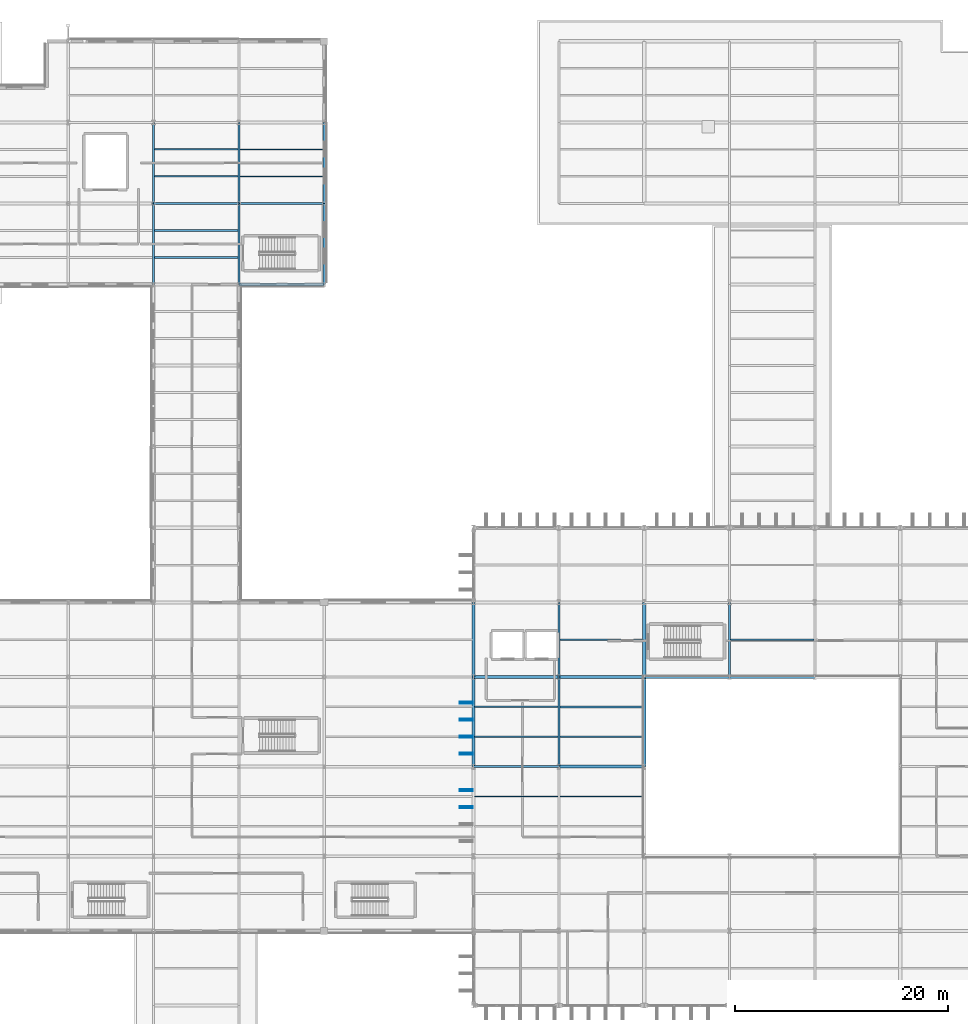
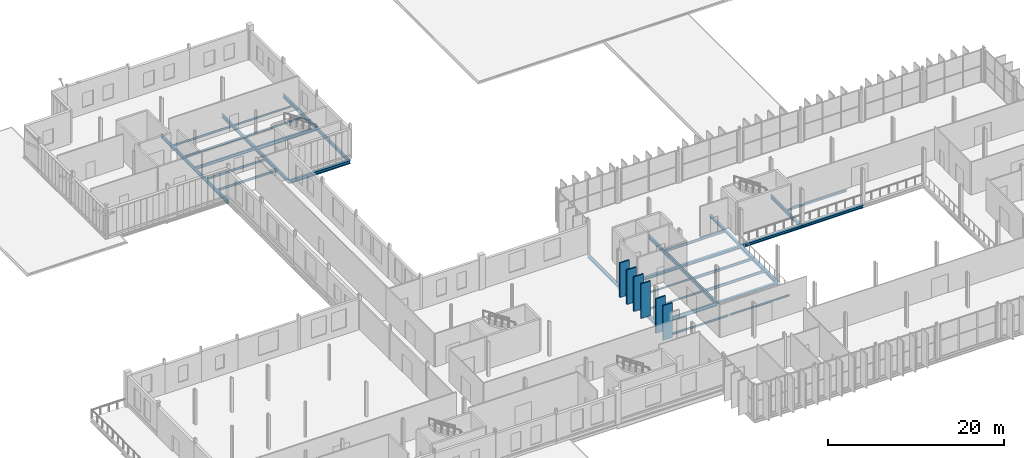
# One storey, part 37 of 120: 36 beams, 6 members.
"""IFC4 building model written with IfcOpenShell, lengths in metres."""

from ifc_helpers import new_model, si_unit, direction, frame, origin, origin_2d, place, context, subcontext, project, spatial, hollow_rectangle, i_section, extrude, material, material_profile, profile_set, type_object, element, save


model = new_model("IFC4")

# Units and contexts
model_context = context("Model", 3, precision=1e-05, world=origin(), true_north=direction((0.0, 1.0)))
body_context = subcontext(model_context, "Body", "Model", "MODEL_VIEW")
ifc_project = project(units=[si_unit("LENGTHUNIT", "METRE"), si_unit("AREAUNIT", "SQUARE_METRE"), si_unit("VOLUMEUNIT", "CUBIC_METRE"), si_unit("PLANEANGLEUNIT", "RADIAN"), si_unit("MASSUNIT", "GRAM", prefix="KILO")], contexts=[model_context])

# Site, building, storey
site_placement = place(None, origin())
site = spatial("IfcSite", under=ifc_project, at=site_placement, CompositionType="ELEMENT")
building_placement = place(site_placement, origin())
building = spatial("IfcBuilding", under=site, at=building_placement, Name="Vekula Escarpment Museum", CompositionType="ELEMENT")
storey_placement = place(building_placement, frame((0.0, 0.0, 13.199951171875)))
storey = spatial("IfcBuildingStorey", under=building, at=storey_placement, Name="L03", CompositionType="ELEMENT", Elevation=13.199951171875)

# Beams
ifc_material_1 = material(Name="Steel S355", Category="steel")
ifc_material_profile_1 = material_profile(ifc_material_1, i_section(OverallWidth=0.280029296875, OverallDepth=0.280029296875, WebThickness=0.010498046875, FlangeThickness=0.01806640625, FilletRadius=0.02392578125, at=origin_2d()), Name="HEB 280")
ifc_profile_set_1 = profile_set([ifc_material_profile_1], Name="Steel S355")
beam_type_1 = type_object("IfcBeamType", Name="BM-GIRD-HEB280", PredefinedType="BEAM", material=ifc_profile_set_1)
beam_1_placement = place(storey_placement, frame((78.0, 68.0, -0.389892578125), z_axis=(1.0, 0.0, 0.0), x_axis=(0.0, 1.0, 0.0)))
element("IfcBeam", 1, at=beam_1_placement, inside=storey, type_object=beam_type_1, Name="Beam X L03 1366", PredefinedType="BEAM", context=body_context, shape_type="SweptSolid", body=[
    extrude(i_section(OverallWidth=0.280029296875, OverallDepth=0.280029296875, WebThickness=0.010498046875, FlangeThickness=0.01806640625, FilletRadius=0.02392578125, at=origin_2d()), origin(), (0.0, 0.0, 1.0), 8.0),
])
ifc_material_2 = material(Name="Steel S355", Category="steel")
ifc_material_profile_2 = material_profile(ifc_material_2, i_section(OverallWidth=0.300048828125, OverallDepth=0.449951171875, WebThickness=0.013916015625, FlangeThickness=0.02587890625, FilletRadius=0.027099609375, at=origin_2d()), Name="HEB 450")
ifc_profile_set_2 = profile_set([ifc_material_profile_2], Name="Steel S355")
beam_type_2 = type_object("IfcBeamType", Name="BM-GIRD-HEB450", PredefinedType="BEAM", material=ifc_profile_set_2)
beam_2_placement = place(storey_placement, frame((48.0, 113.199951171875, -0.474853515625), z_axis=(1.0, 0.0, 0.0), x_axis=(0.0, 1.0, 0.0)))
element("IfcBeam", 2, at=beam_2_placement, inside=storey, type_object=beam_type_2, Name="Beam X L03 1438", PredefinedType="BEAM", context=body_context, shape_type="SweptSolid", body=[
    extrude(i_section(OverallWidth=0.300048828125, OverallDepth=0.449951171875, WebThickness=0.013916015625, FlangeThickness=0.02587890625, FilletRadius=0.027099609375, at=origin_2d()), origin(), (0.0, 0.0, 1.0), 8.0),
])
ifc_material_3 = material(Name="Steel S355", Category="steel")
ifc_material_profile_3 = material_profile(ifc_material_3, i_section(OverallWidth=0.179931640625, OverallDepth=0.39990234375, WebThickness=0.008544921875, FlangeThickness=0.013427734375, FilletRadius=0.02099609375, at=origin_2d()), Name="IPE 400")
ifc_profile_set_3 = profile_set([ifc_material_profile_3], Name="Steel S355")
beam_type_3 = type_object("IfcBeamType", Name="BM-GIRD-IPE400", PredefinedType="BEAM", material=ifc_profile_set_3)
beam_3_placement = place(storey_placement, frame((40.0, 120.800048828125, -0.449951171875), z_axis=(1.0, 0.0, 0.0), x_axis=(0.0, 1.0, 0.0)))
element("IfcBeam", 3, at=beam_3_placement, inside=storey, type_object=beam_type_3, Name="Beam X L03 1446", PredefinedType="BEAM", context=body_context, shape_type="SweptSolid", body=[
    extrude(i_section(OverallWidth=0.179931640625, OverallDepth=0.39990234375, WebThickness=0.008544921875, FlangeThickness=0.013427734375, FilletRadius=0.02099609375, at=origin_2d()), origin(), (0.0, 0.0, 1.0), 8.0),
])
ifc_material_4 = material(Name="Steel S355", Category="steel")
ifc_material_profile_4 = material_profile(ifc_material_4, i_section(OverallWidth=0.199951171875, OverallDepth=0.5, WebThickness=0.01025390625, FlangeThickness=0.01611328125, FilletRadius=0.02099609375, at=origin_2d()), Name="IPE 500")
ifc_profile_set_4 = profile_set([ifc_material_profile_4], Name="Steel S355")
beam_type_4 = type_object("IfcBeamType", Name="BM-GIRD-IPE500", PredefinedType="BEAM", material=ifc_profile_set_4)
for number, where, z_axis, x_axis, name in (
    (4, (70.0, 68.0, -0.5), (1.0, 0.0, 0.0), (0.0, 1.0, 0.0), "Beam X L03 1365"),
    (5, (48.0, 120.800048828125, -0.5), (1.0, 0.0, 0.0), (0.0, 1.0, 0.0), "Beam X L03 1447"),
):
    element("IfcBeam", number, at=place(storey_placement, frame(where, z_axis=z_axis, x_axis=x_axis)), inside=storey, type_object=beam_type_4, Name=name, PredefinedType="BEAM", context=body_context, shape_type="SweptSolid", body=[
        extrude(i_section(OverallWidth=0.199951171875, OverallDepth=0.5, WebThickness=0.01025390625, FlangeThickness=0.01611328125, FilletRadius=0.02099609375, at=origin_2d()), origin(), (0.0, 0.0, 1.0), 8.0),
    ])
beam_4_placement = place(storey_placement, frame((40.0, 113.199951171875, -0.5), z_axis=(0.0, 1.0, 0.0), x_axis=(-1.0, 0.0, 0.0)))
element("IfcBeam", 6, at=beam_4_placement, inside=storey, type_object=beam_type_4, Name="Beam Y L03 1526", PredefinedType="BEAM", context=body_context, shape_type="SweptSolid", body=[
    extrude(i_section(OverallWidth=0.199951171875, OverallDepth=0.5, WebThickness=0.01025390625, FlangeThickness=0.01611328125, FilletRadius=0.02099609375, at=origin_2d()), origin(), (0.0, 0.0, 1.0), 7.60009765625),
])
beam_5_placement = place(storey_placement, frame((40.0, 120.800048828125, -0.5), z_axis=(0.0, 1.0, 0.0), x_axis=(-1.0, 0.0, 0.0)))
element("IfcBeam", 7, at=beam_5_placement, inside=storey, type_object=beam_type_4, Name="Beam Y L03 1527", PredefinedType="BEAM", context=body_context, shape_type="SweptSolid", body=[
    extrude(i_section(OverallWidth=0.199951171875, OverallDepth=0.5, WebThickness=0.01025390625, FlangeThickness=0.01611328125, FilletRadius=0.02099609375, at=origin_2d()), origin(), (0.0, 0.0, 1.0), 7.599853515625),
])
beam_6_placement = place(storey_placement, frame((48.0, 113.199951171875, -0.5), z_axis=(0.0, 1.0, 0.0), x_axis=(-1.0, 0.0, 0.0)))
element("IfcBeam", 8, at=beam_6_placement, inside=storey, type_object=beam_type_4, Name="Beam Y L03 1544", PredefinedType="BEAM", context=body_context, shape_type="SweptSolid", body=[
    extrude(i_section(OverallWidth=0.199951171875, OverallDepth=0.5, WebThickness=0.01025390625, FlangeThickness=0.01611328125, FilletRadius=0.02099609375, at=origin_2d()), origin(), (0.0, 0.0, 1.0), 7.60009765625),
])
beam_7_placement = place(storey_placement, frame((48.0, 120.800048828125, -0.5), z_axis=(0.0, 1.0, 0.0), x_axis=(-1.0, 0.0, 0.0)))
element("IfcBeam", 9, at=beam_7_placement, inside=storey, type_object=beam_type_4, Name="Beam Y L03 1545", PredefinedType="BEAM", context=body_context, shape_type="SweptSolid", body=[
    extrude(i_section(OverallWidth=0.199951171875, OverallDepth=0.5, WebThickness=0.01025390625, FlangeThickness=0.01611328125, FilletRadius=0.02099609375, at=origin_2d()), origin(), (0.0, 0.0, 1.0), 7.599853515625),
])
beam_8_placement = place(storey_placement, frame((56.0, 113.199951171875, -0.5), z_axis=(0.0, 1.0, 0.0), x_axis=(-1.0, 0.0, 0.0)))
element("IfcBeam", 10, at=beam_8_placement, inside=storey, type_object=beam_type_4, Name="Beam Y L03 1554", PredefinedType="BEAM", context=body_context, shape_type="SweptSolid", body=[
    extrude(i_section(OverallWidth=0.199951171875, OverallDepth=0.5, WebThickness=0.01025390625, FlangeThickness=0.01611328125, FilletRadius=0.02099609375, at=origin_2d()), origin(), (0.0, 0.0, 1.0), 7.60009765625),
])
beam_9_placement = place(storey_placement, frame((56.0, 120.800048828125, -0.5), z_axis=(0.0, 1.0, 0.0), x_axis=(-1.0, 0.0, 0.0)))
element("IfcBeam", 11, at=beam_9_placement, inside=storey, type_object=beam_type_4, Name="Beam Y L03 1555", PredefinedType="BEAM", context=body_context, shape_type="SweptSolid", body=[
    extrude(i_section(OverallWidth=0.199951171875, OverallDepth=0.5, WebThickness=0.01025390625, FlangeThickness=0.01611328125, FilletRadius=0.02099609375, at=origin_2d()), origin(), (0.0, 0.0, 1.0), 7.599853515625),
])
beam_10_placement = place(storey_placement, frame((78.0, 68.0, -0.5), z_axis=(0.0, 1.0, 0.0), x_axis=(-1.0, 0.0, 0.0)))
element("IfcBeam", 12, at=beam_10_placement, inside=storey, type_object=beam_type_4, Name="Beam Y L03 1568", PredefinedType="BEAM", context=body_context, shape_type="SweptSolid", body=[
    extrude(i_section(OverallWidth=0.199951171875, OverallDepth=0.5, WebThickness=0.01025390625, FlangeThickness=0.01611328125, FilletRadius=0.02099609375, at=origin_2d()), origin(), (0.0, 0.0, 1.0), 8.39990234375),
])
for number, where, z_axis, x_axis, name in (
    (13, (78.0, 76.39990234375, -0.5), (0.0, 1.0, 0.0), (-1.0, 0.0, 0.0), "Beam Y L03 1569"),
    (14, (94.0, 76.39990234375, -0.5), (0.0, 1.0, 0.0), (-1.0, 0.0, 0.0), "Beam Y L03 1587"),
):
    element("IfcBeam", number, at=place(storey_placement, frame(where, z_axis=z_axis, x_axis=x_axis)), inside=storey, type_object=beam_type_4, Name=name, PredefinedType="BEAM", context=body_context, shape_type="SweptSolid", body=[
        extrude(i_section(OverallWidth=0.199951171875, OverallDepth=0.5, WebThickness=0.01025390625, FlangeThickness=0.01611328125, FilletRadius=0.02099609375, at=origin_2d()), origin(), (0.0, 0.0, 1.0), 7.0),
    ])
ifc_material_5 = material(Name="Steel S355", Category="steel")
ifc_material_profile_5 = material_profile(ifc_material_5, i_section(OverallWidth=0.1201171875, OverallDepth=0.239990234375, WebThickness=0.006103515625, FlangeThickness=0.009765625, FilletRadius=0.014892578125, at=origin_2d()), Name="IPE 240")
ifc_profile_set_5 = profile_set([ifc_material_profile_5], Name="Steel S355")
beam_type_5 = type_object("IfcBeamType", Name="BM-JST-IPE240", PredefinedType="JOIST", material=ifc_profile_set_5)
for number, where, z_axis, x_axis, name in (
    (15, (48.090087890625, 123.333251953125, -0.369873046875), (1.0, 0.0, 0.0), (0.0, 1.0, 0.0), "Secondary Joist L03 0982"),
    (16, (48.090087890625, 125.86669921875, -0.369873046875), (1.0, 0.0, 0.0), (0.0, 1.0, 0.0), "Secondary Joist L03 0983"),
    (17, (70.090087890625, 70.800048828125, -0.369873046875), (1.0, 0.0, 0.0), (0.0, 1.0, 0.0), "Secondary Joist L03 0995"),
    (18, (70.090087890625, 73.60009765625, -0.369873046875), (1.0, 0.0, 0.0), (0.0, 1.0, 0.0), "Secondary Joist L03 0996"),
    (19, (78.090087890625, 65.199951171875, -0.369873046875), (1.0, 0.0, 0.0), (0.0, 1.0, 0.0), "Secondary Joist L03 1005"),
):
    element("IfcBeam", number, at=place(storey_placement, frame(where, z_axis=z_axis, x_axis=x_axis)), inside=storey, type_object=beam_type_5, Name=name, PredefinedType="JOIST", context=body_context, shape_type="SweptSolid", body=[
        extrude(i_section(OverallWidth=0.1201171875, OverallDepth=0.239990234375, WebThickness=0.006103515625, FlangeThickness=0.009765625, FilletRadius=0.014892578125, at=origin_2d()), origin(), (0.0, 0.0, 1.0), 7.81982421875),
    ])
ifc_material_6 = material(Name="Steel S355", Category="steel")
ifc_material_profile_6 = material_profile(ifc_material_6, i_section(OverallWidth=0.135009765625, OverallDepth=0.27001953125, WebThickness=0.006591796875, FlangeThickness=0.01025390625, FilletRadius=0.014892578125, at=origin_2d()), Name="IPE 270")
ifc_profile_set_6 = profile_set([ifc_material_profile_6], Name="Steel S355")
beam_type_6 = type_object("IfcBeamType", Name="BM-JST-IPE270", PredefinedType="JOIST", material=ifc_profile_set_6)
for number, where, z_axis, x_axis, name in (
    (20, (40.090087890625, 123.333251953125, -0.385009765625), (1.0, 0.0, 0.0), (0.0, 1.0, 0.0), "Secondary Joist L03 0970"),
    (21, (40.090087890625, 125.86669921875, -0.385009765625), (1.0, 0.0, 0.0), (0.0, 1.0, 0.0), "Secondary Joist L03 0971"),
    (22, (70.090087890625, 65.199951171875, -0.385009765625), (1.0, 0.0, 0.0), (0.0, 1.0, 0.0), "Secondary Joist L03 0994"),
    (23, (94.090087890625, 79.89990234375, -0.385009765625), (1.0, 0.0, 0.0), (0.0, 1.0, 0.0), "Secondary Joist L03 1029"),
):
    element("IfcBeam", number, at=place(storey_placement, frame(where, z_axis=z_axis, x_axis=x_axis)), inside=storey, type_object=beam_type_6, Name=name, PredefinedType="JOIST", context=body_context, shape_type="SweptSolid", body=[
        extrude(i_section(OverallWidth=0.135009765625, OverallDepth=0.27001953125, WebThickness=0.006591796875, FlangeThickness=0.01025390625, FilletRadius=0.014892578125, at=origin_2d()), origin(), (0.0, 0.0, 1.0), 7.81982421875),
    ])
ifc_material_7 = material(Name="Steel S355", Category="steel")
ifc_material_profile_7 = material_profile(ifc_material_7, i_section(OverallWidth=0.14990234375, OverallDepth=0.300048828125, WebThickness=0.007080078125, FlangeThickness=0.0107421875, FilletRadius=0.014892578125, at=origin_2d()), Name="IPE 300")
ifc_profile_set_7 = profile_set([ifc_material_profile_7], Name="Steel S355")
beam_type_7 = type_object("IfcBeamType", Name="BM-JST-IPE300", PredefinedType="JOIST", material=ifc_profile_set_7)
for number, where, z_axis, x_axis, name in (
    (24, (40.090087890625, 115.7333984375, -0.39990234375), (1.0, 0.0, 0.0), (0.0, 1.0, 0.0), "Secondary Joist L03 0968"),
    (25, (40.090087890625, 118.2666015625, -0.39990234375), (1.0, 0.0, 0.0), (0.0, 1.0, 0.0), "Secondary Joist L03 0969"),
):
    element("IfcBeam", number, at=place(storey_placement, frame(where, z_axis=z_axis, x_axis=x_axis)), inside=storey, type_object=beam_type_7, Name=name, PredefinedType="JOIST", context=body_context, shape_type="SweptSolid", body=[
        extrude(i_section(OverallWidth=0.14990234375, OverallDepth=0.300048828125, WebThickness=0.007080078125, FlangeThickness=0.0107421875, FilletRadius=0.014892578125, at=origin_2d()), origin(), (0.0, 0.0, 1.0), 7.81982421875),
    ])
ifc_material_8 = material(Name="Steel S355", Category="steel")
ifc_material_profile_8 = material_profile(ifc_material_8, i_section(OverallWidth=0.159912109375, OverallDepth=0.330078125, WebThickness=0.007568359375, FlangeThickness=0.011474609375, FilletRadius=0.01806640625, at=origin_2d()), Name="IPE 330")
ifc_profile_set_8 = profile_set([ifc_material_profile_8], Name="Steel S355")
beam_type_8 = type_object("IfcBeamType", Name="BM-JST-IPE330", PredefinedType="JOIST", material=ifc_profile_set_8)
beam_11_placement = place(storey_placement, frame((78.090087890625, 79.89990234375, -0.4150390625), z_axis=(1.0, 0.0, 0.0), x_axis=(0.0, 1.0, 0.0)))
element("IfcBeam", 26, at=beam_11_placement, inside=storey, type_object=beam_type_8, Name="Secondary Joist L03 1008", PredefinedType="JOIST", context=body_context, shape_type="SweptSolid", body=[
    extrude(i_section(OverallWidth=0.159912109375, OverallDepth=0.330078125, WebThickness=0.007568359375, FlangeThickness=0.011474609375, FilletRadius=0.01806640625, at=origin_2d()), origin(), (0.0, 0.0, 1.0), 7.81982421875),
])
ifc_material_9 = material(Name="Steel S355", Category="steel")
ifc_material_profile_9 = material_profile(ifc_material_9, i_section(OverallWidth=0.169921875, OverallDepth=0.360107421875, WebThickness=0.008056640625, FlangeThickness=0.0126953125, FilletRadius=0.01806640625, at=origin_2d()), Name="IPE 360")
ifc_profile_set_9 = profile_set([ifc_material_profile_9], Name="Steel S355")
beam_type_9 = type_object("IfcBeamType", Name="BM-JST-IPE360", PredefinedType="JOIST", material=ifc_profile_set_9)
for number, where, z_axis, x_axis, name in (
    (27, (78.090087890625, 70.800048828125, -0.429931640625), (1.0, 0.0, 0.0), (0.0, 1.0, 0.0), "Secondary Joist L03 1006"),
    (28, (78.090087890625, 73.60009765625, -0.429931640625), (1.0, 0.0, 0.0), (0.0, 1.0, 0.0), "Secondary Joist L03 1007"),
):
    element("IfcBeam", number, at=place(storey_placement, frame(where, z_axis=z_axis, x_axis=x_axis)), inside=storey, type_object=beam_type_9, Name=name, PredefinedType="JOIST", context=body_context, shape_type="SweptSolid", body=[
        extrude(i_section(OverallWidth=0.169921875, OverallDepth=0.360107421875, WebThickness=0.008056640625, FlangeThickness=0.0126953125, FilletRadius=0.01806640625, at=origin_2d()), origin(), (0.0, 0.0, 1.0), 7.81982421875),
    ])
ifc_material_10 = material(Name="Steel S355", Category="steel")
ifc_material_profile_10 = material_profile(ifc_material_10, i_section(OverallWidth=0.300048828125, OverallDepth=0.2900390625, WebThickness=0.008544921875, FlangeThickness=0.013916015625, FilletRadius=0.027099609375, at=origin_2d()), Name="HEA 300")
ifc_profile_set_10 = profile_set([ifc_material_profile_10], Name="Steel S355")
beam_type_10 = type_object("IfcBeamType", Name="BM-SPAN-HEA300", PredefinedType="SPANDREL", material=ifc_profile_set_10)
for number, where, z_axis, x_axis, name in (
    (29, (70.0, 76.39990234375, -0.39501953125), (0.0, 1.0, 0.0), (-1.0, 0.0, 0.0), "Beam Y L03 1561"),
    (30, (86.0, 76.39990234375, -0.39501953125), (0.0, 1.0, 0.0), (-1.0, 0.0, 0.0), "Beam Y L03 1579"),
):
    element("IfcBeam", number, at=place(storey_placement, frame(where, z_axis=z_axis, x_axis=x_axis)), inside=storey, type_object=beam_type_10, Name=name, PredefinedType="SPANDREL", context=body_context, shape_type="SweptSolid", body=[
        extrude(i_section(OverallWidth=0.300048828125, OverallDepth=0.2900390625, WebThickness=0.008544921875, FlangeThickness=0.013916015625, FilletRadius=0.027099609375, at=origin_2d()), origin(), (0.0, 0.0, 1.0), 7.0),
    ])
ifc_material_11 = material(Name="Steel S355", Category="steel")
ifc_material_profile_11 = material_profile(ifc_material_11, i_section(OverallWidth=0.300048828125, OverallDepth=0.389892578125, WebThickness=0.010986328125, FlangeThickness=0.01904296875, FilletRadius=0.027099609375, at=origin_2d()), Name="HEA 400")
ifc_profile_set_11 = profile_set([ifc_material_profile_11], Name="Steel S355")
beam_type_11 = type_object("IfcBeamType", Name="BM-SPAN-HEA400", PredefinedType="SPANDREL", material=ifc_profile_set_11)
for number, where, z_axis, x_axis, name in (
    (31, (70.0, 76.39990234375, -0.445068359375), (1.0, 0.0, 0.0), (0.0, 1.0, 0.0), "Beam X L03 1384"),
    (32, (78.0, 76.39990234375, -0.445068359375), (1.0, 0.0, 0.0), (0.0, 1.0, 0.0), "Beam X L03 1385"),
    (33, (86.0, 76.39990234375, -0.445068359375), (1.0, 0.0, 0.0), (0.0, 1.0, 0.0), "Beam X L03 1386"),
    (34, (94.0, 76.39990234375, -0.445068359375), (1.0, 0.0, 0.0), (0.0, 1.0, 0.0), "Beam X L03 1387"),
):
    element("IfcBeam", number, at=place(storey_placement, frame(where, z_axis=z_axis, x_axis=x_axis)), inside=storey, type_object=beam_type_11, Name=name, PredefinedType="SPANDREL", context=body_context, shape_type="SweptSolid", body=[
        extrude(i_section(OverallWidth=0.300048828125, OverallDepth=0.389892578125, WebThickness=0.010986328125, FlangeThickness=0.01904296875, FilletRadius=0.027099609375, at=origin_2d()), origin(), (0.0, 0.0, 1.0), 8.0),
    ])
ifc_material_12 = material(Name="Steel S355", Category="steel")
ifc_material_profile_12 = material_profile(ifc_material_12, i_section(OverallWidth=0.300048828125, OverallDepth=0.43994140625, WebThickness=0.011474609375, FlangeThickness=0.02099609375, FilletRadius=0.027099609375, at=origin_2d()), Name="HEA 450")
ifc_profile_set_12 = profile_set([ifc_material_profile_12], Name="Steel S355")
beam_type_12 = type_object("IfcBeamType", Name="BM-SPAN-HEA450", PredefinedType="SPANDREL", material=ifc_profile_set_12)
for number, where, z_axis, x_axis, name in (
    (35, (70.0, 68.0, -0.469970703125), (0.0, 1.0, 0.0), (-1.0, 0.0, 0.0), "Beam Y L03 1560"),
    (36, (86.0, 68.0, -0.469970703125), (0.0, 1.0, 0.0), (-1.0, 0.0, 0.0), "Beam Y L03 1578"),
):
    element("IfcBeam", number, at=place(storey_placement, frame(where, z_axis=z_axis, x_axis=x_axis)), inside=storey, type_object=beam_type_12, Name=name, PredefinedType="SPANDREL", context=body_context, shape_type="SweptSolid", body=[
        extrude(i_section(OverallWidth=0.300048828125, OverallDepth=0.43994140625, WebThickness=0.011474609375, FlangeThickness=0.02099609375, FilletRadius=0.027099609375, at=origin_2d()), origin(), (0.0, 0.0, 1.0), 8.39990234375),
    ])

# Members
ifc_material_13 = material(Name="Steel S355 weathered bronze solar fin", Category="steel")
ifc_material_profile_13 = material_profile(ifc_material_13, hollow_rectangle(XDim=0.179931640625, YDim=1.25, WallThickness=0.010009765625, InnerFilletRadius=0.010009765625, OuterFilletRadius=0.02001953125, at=origin_2d()), Name="RHS 1250x180x10")
ifc_profile_set_13 = profile_set([ifc_material_profile_13], Name="Steel S355 weathered bronze solar fin")
member_type = type_object("IfcMemberType", Name="MB-SOLAR-FIN", PredefinedType="USERDEFINED", material=ifc_profile_set_13)
for number, where, z_axis, x_axis, name in (
    (37, (69.320068359375, 64.199951171875, 0.0), (0.0, 0.0, 1.0), (0.0, 1.0, 0.0), "Great Hall Vertical Solar Fin 0308"),
    (38, (69.320068359375, 65.800048828125, 0.0), (0.0, 0.0, 1.0), (0.0, 1.0, 0.0), "Great Hall Vertical Solar Fin 0313"),
    (39, (69.320068359375, 69.199951171875, 0.0), (0.0, 0.0, 1.0), (0.0, 1.0, 0.0), "Great Hall Vertical Solar Fin 0318"),
    (40, (69.320068359375, 70.800048828125, 0.0), (0.0, 0.0, 1.0), (0.0, 1.0, 0.0), "Great Hall Vertical Solar Fin 0323"),
    (41, (69.320068359375, 72.39990234375, 0.0), (0.0, 0.0, 1.0), (0.0, 1.0, 0.0), "Great Hall Vertical Solar Fin 0328"),
    (42, (69.320068359375, 74.0, 0.0), (0.0, 0.0, 1.0), (0.0, 1.0, 0.0), "Great Hall Vertical Solar Fin 0333"),
):
    element("IfcMember", number, at=place(storey_placement, frame(where, z_axis=z_axis, x_axis=x_axis)), inside=storey, type_object=member_type, Name=name, ObjectType="SOLAR FIN", PredefinedType="USERDEFINED", context=body_context, shape_type="SweptSolid", body=[
        extrude(hollow_rectangle(XDim=0.179931640625, YDim=1.25, WallThickness=0.010009765625, InnerFilletRadius=0.010009765625, OuterFilletRadius=0.02001953125, at=origin_2d()), origin(), (0.0, 0.0, 1.0), 4.800048828125),
    ])

save(model, "model.ifc")
